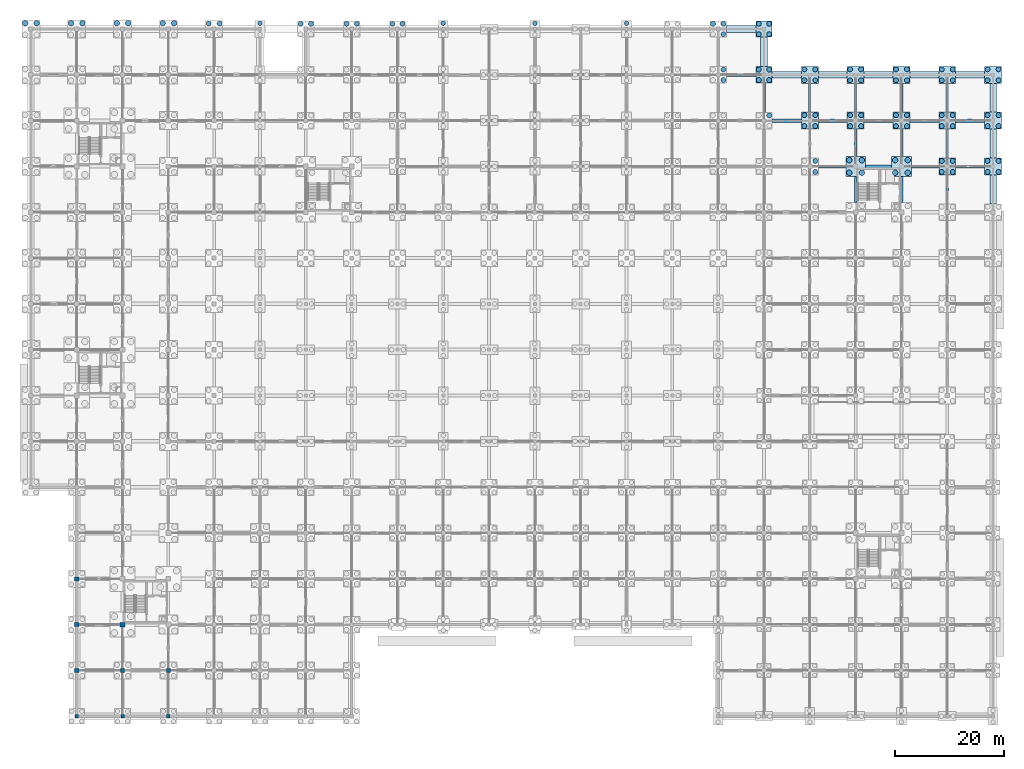
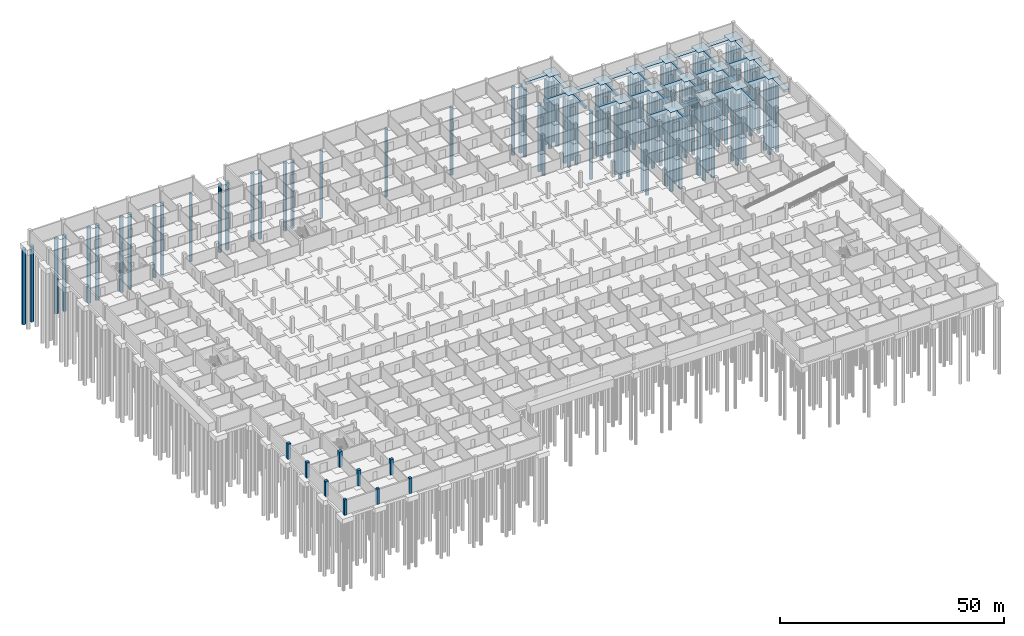
# One storey, part 15 of 43: 92 piles, 47 footings, 9 columns.
"""IFC4 building model written with IfcOpenShell, lengths in metres."""

from ifc_helpers import new_model, si_unit, direction, frame, origin, origin_2d, place, context, subcontext, project, spatial, rectangle, circle, extrude, material, material_profile, profile_set, type_object, element, save


model = new_model("IFC4")

# Units and contexts
model_context = context("Model", 3, precision=1e-05, world=origin(), true_north=direction((0.0, 1.0)))
body_context = subcontext(model_context, "Body", "Model", "MODEL_VIEW")
ifc_project = project(units=[si_unit("LENGTHUNIT", "METRE"), si_unit("AREAUNIT", "SQUARE_METRE"), si_unit("VOLUMEUNIT", "CUBIC_METRE"), si_unit("PLANEANGLEUNIT", "RADIAN"), si_unit("MASSUNIT", "GRAM", prefix="KILO")], contexts=[model_context])

# Site, building, storey
site_placement = place(None, origin())
site = spatial("IfcSite", under=ifc_project, at=site_placement, CompositionType="ELEMENT")
building_placement = place(site_placement, origin())
building = spatial("IfcBuilding", under=site, at=building_placement, Name="Varnapada Polytechnic", CompositionType="ELEMENT")
storey_placement = place(building_placement, frame((0.0, 0.0, -4.199951171875)))
storey = spatial("IfcBuildingStorey", under=building, at=storey_placement, Name="B1", CompositionType="ELEMENT", Elevation=-4.199951171875)

# Piles
ifc_material = material(Name="Concrete C40/50", Category="concrete")
ifc_material_profile_1 = material_profile(ifc_material, circle(Radius=0.5, at=origin_2d()), Name="BP 1000")
ifc_profile_set_1 = profile_set([ifc_material_profile_1], Name="Concrete C40/50")
pile_type_1 = type_object("IfcPileType", Name="Bored Pile BP 1000", PredefinedType="BORED", material=ifc_profile_set_1)
for number, where, z_axis, x_axis, name in (
    (1, (-1.050048828125, 127.050048828125, -1.300048828125), (0.0, 0.0, -1.0), (1.0, 0.0, 0.0), "Bored pile P-01 under CAP-00-15 (3)"),
    (2, (1.050048828125, 127.050048828125, -1.300048828125), (0.0, 0.0, -1.0), (1.0, 0.0, 0.0), "Bored pile P-01 under CAP-00-15 (4)"),
    (3, (7.35009765625, 127.050048828125, -1.300048828125), (0.0, 0.0, -1.0), (1.0, 0.0, 0.0), "Bored pile P-01 under CAP-01-15 (3)"),
    (4, (9.449951171875, 127.050048828125, -1.300048828125), (0.0, 0.0, -1.0), (1.0, 0.0, 0.0), "Bored pile P-01 under CAP-01-15 (4)"),
    (5, (15.75, 127.050048828125, -1.300048828125), (0.0, 0.0, -1.0), (1.0, 0.0, 0.0), "Bored pile P-01 under CAP-02-15 (3)"),
    (6, (17.85009765625, 127.050048828125, -1.300048828125), (0.0, 0.0, -1.0), (1.0, 0.0, 0.0), "Bored pile P-01 under CAP-02-15 (4)"),
    (7, (24.14990234375, 127.050048828125, -1.300048828125), (0.0, 0.0, -1.0), (1.0, 0.0, 0.0), "Bored pile P-01 under CAP-03-15 (3)"),
    (8, (26.25, 127.050048828125, -1.300048828125), (0.0, 0.0, -1.0), (1.0, 0.0, 0.0), "Bored pile P-01 under CAP-03-15 (4)"),
    (9, (150.050048828125, 99.64990234375, -1.300048828125), (0.0, 0.0, -1.0), (1.0, 0.0, 0.0), "Bored pile P-01 under CAP-18-12 (1)"),
    (10, (152.35009765625, 99.64990234375, -1.300048828125), (0.0, 0.0, -1.0), (1.0, 0.0, 0.0), "Bored pile P-01 under CAP-18-12 (2)"),
    (11, (150.050048828125, 101.949951171875, -1.300048828125), (0.0, 0.0, -1.0), (1.0, 0.0, 0.0), "Bored pile P-01 under CAP-18-12 (3)"),
    (12, (152.35009765625, 101.949951171875, -1.300048828125), (0.0, 0.0, -1.0), (1.0, 0.0, 0.0), "Bored pile P-01 under CAP-18-12 (4)"),
    (13, (158.449951171875, 99.64990234375, -1.300048828125), (0.0, 0.0, -1.0), (1.0, 0.0, 0.0), "Bored pile P-01 under CAP-19-12 (1)"),
    (14, (160.75, 99.64990234375, -1.300048828125), (0.0, 0.0, -1.0), (1.0, 0.0, 0.0), "Bored pile P-01 under CAP-19-12 (2)"),
    (15, (158.449951171875, 101.949951171875, -1.300048828125), (0.0, 0.0, -1.0), (1.0, 0.0, 0.0), "Bored pile P-01 under CAP-19-12 (3)"),
    (16, (160.75, 101.949951171875, -1.300048828125), (0.0, 0.0, -1.0), (1.0, 0.0, 0.0), "Bored pile P-01 under CAP-19-12 (4)"),
):
    element("IfcPile", number, at=place(storey_placement, frame(where, z_axis=z_axis, x_axis=x_axis)), inside=storey, type_object=pile_type_1, Name=name, PredefinedType="BORED", context=body_context, shape_type="SweptSolid", body=[
        extrude(circle(Radius=0.5, at=origin_2d()), origin(), (0.0, 0.0, 1.0), 20.5),
    ])
ifc_material_profile_2 = material_profile(ifc_material, circle(Radius=0.39990234375, at=origin_2d()), Name="BP 800")
ifc_profile_set_2 = profile_set([ifc_material_profile_2], Name="Concrete C40/50")
pile_type_2 = type_object("IfcPileType", Name="Bored Pile BP 800", PredefinedType="BORED", material=ifc_profile_set_2)
for number, where, z_axis, x_axis, name in (
    (17, (42.0, 127.050048828125, -1.300048828125), (0.0, 0.0, -1.0), (1.0, 0.0, 0.0), "Bored pile P-03 under CAP-05-15 (2)"),
    (18, (75.60009765625, 127.050048828125, -1.300048828125), (0.0, 0.0, -1.0), (1.0, 0.0, 0.0), "Bored pile P-03 under CAP-09-15 (2)"),
    (19, (92.39990234375, 127.050048828125, -1.300048828125), (0.0, 0.0, -1.0), (1.0, 0.0, 0.0), "Bored pile P-03 under CAP-11-15 (2)"),
    (20, (109.199951171875, 127.050048828125, -1.300048828125), (0.0, 0.0, -1.0), (1.0, 0.0, 0.0), "Bored pile P-03 under CAP-13-15 (2)"),
):
    element("IfcPile", number, at=place(storey_placement, frame(where, z_axis=z_axis, x_axis=x_axis)), inside=storey, type_object=pile_type_2, Name=name, PredefinedType="BORED", context=body_context, shape_type="SweptSolid", body=[
        extrude(circle(Radius=0.39990234375, at=origin_2d()), origin(), (0.0, 0.0, 1.0), 18.5),
    ])
ifc_material_profile_3 = material_profile(ifc_material, circle(Radius=0.449951171875, at=origin_2d()), Name="BP 900")
ifc_profile_set_3 = profile_set([ifc_material_profile_3], Name="Concrete C40/50")
pile_type_3 = type_object("IfcPileType", Name="Bored Pile BP 900", PredefinedType="BORED", material=ifc_profile_set_3)
for number, where, z_axis, x_axis, name in (
    (21, (32.60009765625, 127.0, -1.25), (0.0, 0.0, -1.0), (1.0, 0.0, 0.0), "Bored pile P-02 under CAP-04-15 (3)"),
    (22, (34.60009765625, 127.0, -1.25), (0.0, 0.0, -1.0), (1.0, 0.0, 0.0), "Bored pile P-02 under CAP-04-15 (4)"),
):
    element("IfcPile", number, at=place(storey_placement, frame(where, z_axis=z_axis, x_axis=x_axis)), inside=storey, type_object=pile_type_3, Name=name, PredefinedType="BORED", context=body_context, shape_type="SweptSolid", body=[
        extrude(circle(Radius=0.449951171875, at=origin_2d()), origin(), (0.0, 0.0, 1.0), 19.550048828125),
    ])
for number, where, z_axis, x_axis, name in (
    (23, (49.449951171875, 126.949951171875, -1.300048828125), (0.0, 0.0, -1.0), (1.0, 0.0, 0.0), "Bored pile P-02 under CAP-06-15 (3)"),
    (24, (51.35009765625, 126.949951171875, -1.300048828125), (0.0, 0.0, -1.0), (1.0, 0.0, 0.0), "Bored pile P-02 under CAP-06-15 (4)"),
    (25, (57.85009765625, 126.949951171875, -1.300048828125), (0.0, 0.0, -1.0), (1.0, 0.0, 0.0), "Bored pile P-02 under CAP-07-15 (3)"),
    (26, (59.75, 126.949951171875, -1.300048828125), (0.0, 0.0, -1.0), (1.0, 0.0, 0.0), "Bored pile P-02 under CAP-07-15 (4)"),
    (27, (66.25, 126.949951171875, -1.300048828125), (0.0, 0.0, -1.0), (1.0, 0.0, 0.0), "Bored pile P-02 under CAP-08-15 (3)"),
    (28, (68.14990234375, 126.949951171875, -1.300048828125), (0.0, 0.0, -1.0), (1.0, 0.0, 0.0), "Bored pile P-02 under CAP-08-15 (4)"),
    (29, (126.949951171875, 116.64990234375, -1.300048828125), (0.0, 0.0, -1.0), (1.0, 0.0, 0.0), "Bored pile P-02 under CAP-15-14 (2)"),
    (30, (126.949951171875, 118.550048828125, -1.300048828125), (0.0, 0.0, -1.0), (1.0, 0.0, 0.0), "Bored pile P-02 under CAP-15-14 (4)"),
    (31, (126.949951171875, 125.050048828125, -1.300048828125), (0.0, 0.0, -1.0), (1.0, 0.0, 0.0), "Bored pile P-02 under CAP-15-15 (2)"),
    (32, (125.050048828125, 126.949951171875, -1.300048828125), (0.0, 0.0, -1.0), (1.0, 0.0, 0.0), "Bored pile P-02 under CAP-15-15 (3)"),
    (33, (126.949951171875, 126.949951171875, -1.300048828125), (0.0, 0.0, -1.0), (1.0, 0.0, 0.0), "Bored pile P-02 under CAP-15-15 (4)"),
    (34, (135.35009765625, 110.14990234375, -1.300048828125), (0.0, 0.0, -1.0), (1.0, 0.0, 0.0), "Bored pile P-02 under CAP-16-13 (4)"),
    (35, (133.449951171875, 116.64990234375, -1.300048828125), (0.0, 0.0, -1.0), (1.0, 0.0, 0.0), "Bored pile P-02 under CAP-16-14 (1)"),
    (36, (135.35009765625, 116.64990234375, -1.300048828125), (0.0, 0.0, -1.0), (1.0, 0.0, 0.0), "Bored pile P-02 under CAP-16-14 (2)"),
    (37, (133.449951171875, 118.550048828125, -1.300048828125), (0.0, 0.0, -1.0), (1.0, 0.0, 0.0), "Bored pile P-02 under CAP-16-14 (3)"),
    (38, (135.35009765625, 118.550048828125, -1.300048828125), (0.0, 0.0, -1.0), (1.0, 0.0, 0.0), "Bored pile P-02 under CAP-16-14 (4)"),
    (39, (133.449951171875, 125.050048828125, -1.300048828125), (0.0, 0.0, -1.0), (1.0, 0.0, 0.0), "Bored pile P-02 under CAP-16-15 (1)"),
    (40, (135.35009765625, 125.050048828125, -1.300048828125), (0.0, 0.0, -1.0), (1.0, 0.0, 0.0), "Bored pile P-02 under CAP-16-15 (2)"),
    (41, (133.449951171875, 126.949951171875, -1.300048828125), (0.0, 0.0, -1.0), (1.0, 0.0, 0.0), "Bored pile P-02 under CAP-16-15 (3)"),
    (42, (135.35009765625, 126.949951171875, -1.300048828125), (0.0, 0.0, -1.0), (1.0, 0.0, 0.0), "Bored pile P-02 under CAP-16-15 (4)"),
):
    element("IfcPile", number, at=place(storey_placement, frame(where, z_axis=z_axis, x_axis=x_axis)), inside=storey, type_object=pile_type_3, Name=name, PredefinedType="BORED", context=body_context, shape_type="SweptSolid", body=[
        extrude(circle(Radius=0.449951171875, at=origin_2d()), origin(), (0.0, 0.0, 1.0), 18.5),
    ])
for number, where, z_axis, x_axis, name in (
    (43, (143.800048828125, 99.800048828125, -1.25), (0.0, 0.0, -1.0), (1.0, 0.0, 0.0), "Bored pile P-02 under CAP-17-12 (2)"),
    (44, (143.800048828125, 101.800048828125, -1.25), (0.0, 0.0, -1.0), (1.0, 0.0, 0.0), "Bored pile P-02 under CAP-17-12 (4)"),
    (45, (141.800048828125, 108.199951171875, -1.25), (0.0, 0.0, -1.0), (1.0, 0.0, 0.0), "Bored pile P-02 under CAP-17-13 (1)"),
    (46, (143.800048828125, 108.199951171875, -1.25), (0.0, 0.0, -1.0), (1.0, 0.0, 0.0), "Bored pile P-02 under CAP-17-13 (2)"),
    (47, (141.800048828125, 110.199951171875, -1.25), (0.0, 0.0, -1.0), (1.0, 0.0, 0.0), "Bored pile P-02 under CAP-17-13 (3)"),
    (48, (143.800048828125, 110.199951171875, -1.25), (0.0, 0.0, -1.0), (1.0, 0.0, 0.0), "Bored pile P-02 under CAP-17-13 (4)"),
    (49, (141.800048828125, 116.60009765625, -1.25), (0.0, 0.0, -1.0), (1.0, 0.0, 0.0), "Bored pile P-02 under CAP-17-14 (1)"),
    (50, (143.800048828125, 116.60009765625, -1.25), (0.0, 0.0, -1.0), (1.0, 0.0, 0.0), "Bored pile P-02 under CAP-17-14 (2)"),
    (51, (141.800048828125, 118.60009765625, -1.25), (0.0, 0.0, -1.0), (1.0, 0.0, 0.0), "Bored pile P-02 under CAP-17-14 (3)"),
    (52, (143.800048828125, 118.60009765625, -1.25), (0.0, 0.0, -1.0), (1.0, 0.0, 0.0), "Bored pile P-02 under CAP-17-14 (4)"),
    (53, (150.199951171875, 108.199951171875, -1.25), (0.0, 0.0, -1.0), (1.0, 0.0, 0.0), "Bored pile P-02 under CAP-18-13 (1)"),
    (54, (152.199951171875, 108.199951171875, -1.25), (0.0, 0.0, -1.0), (1.0, 0.0, 0.0), "Bored pile P-02 under CAP-18-13 (2)"),
    (55, (150.199951171875, 110.199951171875, -1.25), (0.0, 0.0, -1.0), (1.0, 0.0, 0.0), "Bored pile P-02 under CAP-18-13 (3)"),
    (56, (152.199951171875, 110.199951171875, -1.25), (0.0, 0.0, -1.0), (1.0, 0.0, 0.0), "Bored pile P-02 under CAP-18-13 (4)"),
    (57, (150.199951171875, 116.60009765625, -1.25), (0.0, 0.0, -1.0), (1.0, 0.0, 0.0), "Bored pile P-02 under CAP-18-14 (1)"),
    (58, (152.199951171875, 116.60009765625, -1.25), (0.0, 0.0, -1.0), (1.0, 0.0, 0.0), "Bored pile P-02 under CAP-18-14 (2)"),
    (59, (150.199951171875, 118.60009765625, -1.25), (0.0, 0.0, -1.0), (1.0, 0.0, 0.0), "Bored pile P-02 under CAP-18-14 (3)"),
    (60, (152.199951171875, 118.60009765625, -1.25), (0.0, 0.0, -1.0), (1.0, 0.0, 0.0), "Bored pile P-02 under CAP-18-14 (4)"),
    (61, (158.60009765625, 108.199951171875, -1.25), (0.0, 0.0, -1.0), (1.0, 0.0, 0.0), "Bored pile P-02 under CAP-19-13 (1)"),
    (62, (160.60009765625, 108.199951171875, -1.25), (0.0, 0.0, -1.0), (1.0, 0.0, 0.0), "Bored pile P-02 under CAP-19-13 (2)"),
    (63, (158.60009765625, 110.199951171875, -1.25), (0.0, 0.0, -1.0), (1.0, 0.0, 0.0), "Bored pile P-02 under CAP-19-13 (3)"),
    (64, (160.60009765625, 110.199951171875, -1.25), (0.0, 0.0, -1.0), (1.0, 0.0, 0.0), "Bored pile P-02 under CAP-19-13 (4)"),
    (65, (158.60009765625, 116.60009765625, -1.25), (0.0, 0.0, -1.0), (1.0, 0.0, 0.0), "Bored pile P-02 under CAP-19-14 (1)"),
    (66, (160.60009765625, 116.60009765625, -1.25), (0.0, 0.0, -1.0), (1.0, 0.0, 0.0), "Bored pile P-02 under CAP-19-14 (2)"),
    (67, (158.60009765625, 118.60009765625, -1.25), (0.0, 0.0, -1.0), (1.0, 0.0, 0.0), "Bored pile P-02 under CAP-19-14 (3)"),
    (68, (160.60009765625, 118.60009765625, -1.25), (0.0, 0.0, -1.0), (1.0, 0.0, 0.0), "Bored pile P-02 under CAP-19-14 (4)"),
    (69, (167.0, 99.800048828125, -1.25), (0.0, 0.0, -1.0), (1.0, 0.0, 0.0), "Bored pile P-02 under CAP-20-12 (1)"),
    (70, (169.0, 99.800048828125, -1.25), (0.0, 0.0, -1.0), (1.0, 0.0, 0.0), "Bored pile P-02 under CAP-20-12 (2)"),
    (71, (167.0, 101.800048828125, -1.25), (0.0, 0.0, -1.0), (1.0, 0.0, 0.0), "Bored pile P-02 under CAP-20-12 (3)"),
    (72, (169.0, 101.800048828125, -1.25), (0.0, 0.0, -1.0), (1.0, 0.0, 0.0), "Bored pile P-02 under CAP-20-12 (4)"),
    (73, (167.0, 108.199951171875, -1.25), (0.0, 0.0, -1.0), (1.0, 0.0, 0.0), "Bored pile P-02 under CAP-20-13 (1)"),
    (74, (169.0, 108.199951171875, -1.25), (0.0, 0.0, -1.0), (1.0, 0.0, 0.0), "Bored pile P-02 under CAP-20-13 (2)"),
    (75, (167.0, 110.199951171875, -1.25), (0.0, 0.0, -1.0), (1.0, 0.0, 0.0), "Bored pile P-02 under CAP-20-13 (3)"),
    (76, (169.0, 110.199951171875, -1.25), (0.0, 0.0, -1.0), (1.0, 0.0, 0.0), "Bored pile P-02 under CAP-20-13 (4)"),
    (77, (167.0, 116.60009765625, -1.25), (0.0, 0.0, -1.0), (1.0, 0.0, 0.0), "Bored pile P-02 under CAP-20-14 (1)"),
    (78, (169.0, 116.60009765625, -1.25), (0.0, 0.0, -1.0), (1.0, 0.0, 0.0), "Bored pile P-02 under CAP-20-14 (2)"),
    (79, (167.0, 118.60009765625, -1.25), (0.0, 0.0, -1.0), (1.0, 0.0, 0.0), "Bored pile P-02 under CAP-20-14 (3)"),
    (80, (169.0, 118.60009765625, -1.25), (0.0, 0.0, -1.0), (1.0, 0.0, 0.0), "Bored pile P-02 under CAP-20-14 (4)"),
    (81, (175.39990234375, 99.800048828125, -1.25), (0.0, 0.0, -1.0), (1.0, 0.0, 0.0), "Bored pile P-02 under CAP-21-12 (1)"),
    (82, (177.39990234375, 99.800048828125, -1.25), (0.0, 0.0, -1.0), (1.0, 0.0, 0.0), "Bored pile P-02 under CAP-21-12 (2)"),
    (83, (175.39990234375, 101.800048828125, -1.25), (0.0, 0.0, -1.0), (1.0, 0.0, 0.0), "Bored pile P-02 under CAP-21-12 (3)"),
    (84, (177.39990234375, 101.800048828125, -1.25), (0.0, 0.0, -1.0), (1.0, 0.0, 0.0), "Bored pile P-02 under CAP-21-12 (4)"),
    (85, (175.39990234375, 108.199951171875, -1.25), (0.0, 0.0, -1.0), (1.0, 0.0, 0.0), "Bored pile P-02 under CAP-21-13 (1)"),
    (86, (177.39990234375, 108.199951171875, -1.25), (0.0, 0.0, -1.0), (1.0, 0.0, 0.0), "Bored pile P-02 under CAP-21-13 (2)"),
    (87, (175.39990234375, 110.199951171875, -1.25), (0.0, 0.0, -1.0), (1.0, 0.0, 0.0), "Bored pile P-02 under CAP-21-13 (3)"),
    (88, (177.39990234375, 110.199951171875, -1.25), (0.0, 0.0, -1.0), (1.0, 0.0, 0.0), "Bored pile P-02 under CAP-21-13 (4)"),
    (89, (175.39990234375, 116.60009765625, -1.25), (0.0, 0.0, -1.0), (1.0, 0.0, 0.0), "Bored pile P-02 under CAP-21-14 (1)"),
    (90, (177.39990234375, 116.60009765625, -1.25), (0.0, 0.0, -1.0), (1.0, 0.0, 0.0), "Bored pile P-02 under CAP-21-14 (2)"),
    (91, (175.39990234375, 118.60009765625, -1.25), (0.0, 0.0, -1.0), (1.0, 0.0, 0.0), "Bored pile P-02 under CAP-21-14 (3)"),
    (92, (177.39990234375, 118.60009765625, -1.25), (0.0, 0.0, -1.0), (1.0, 0.0, 0.0), "Bored pile P-02 under CAP-21-14 (4)"),
):
    element("IfcPile", number, at=place(storey_placement, frame(where, z_axis=z_axis, x_axis=x_axis)), inside=storey, type_object=pile_type_3, Name=name, PredefinedType="BORED", context=body_context, shape_type="SweptSolid", body=[
        extrude(circle(Radius=0.449951171875, at=origin_2d()), origin(), (0.0, 0.0, 1.0), 19.550048828125),
    ])

# Footings
footing_type_1 = type_object("IfcFootingType", Name="Footing GB-01", PredefinedType="FOOTING_BEAM", material=ifc_material)
footing_1_placement = place(storey_placement, frame((138.574951171875, 109.199951171875, -0.89990234375), z_axis=(0.0, 0.0, 1.0), x_axis=(1.0, 0.0, 0.0)))
element("IfcFooting", 93, at=footing_1_placement, inside=storey, type_object=footing_type_1, Name="Ground footing beam GB-01 X 17-18", PredefinedType="FOOTING_BEAM", context=body_context, shape_type="SweptSolid", body=[
    extrude(rectangle(XDim=5.35009765625, YDim=0.60009765625, at=origin_2d()), origin(), (0.0, 0.0, 1.0), 0.89990234375),
])
footing_2_placement = place(storey_placement, frame((146.875, 100.800048828125, -0.89990234375), z_axis=(0.0, 0.0, 1.0), x_axis=(1.0, 0.0, 0.0)))
element("IfcFooting", 94, at=footing_2_placement, inside=storey, type_object=footing_type_1, Name="Ground footing beam GB-01 X 18-19", PredefinedType="FOOTING_BEAM", context=body_context, shape_type="SweptSolid", body=[
    extrude(rectangle(XDim=5.050048828125, YDim=0.60009765625, at=origin_2d()), origin(), (0.0, 0.0, 1.0), 0.89990234375),
])
footing_3_placement = place(storey_placement, frame((147.0, 109.199951171875, -0.89990234375), z_axis=(0.0, 0.0, 1.0), x_axis=(1.0, 0.0, 0.0)))
element("IfcFooting", 95, at=footing_3_placement, inside=storey, type_object=footing_type_1, Name="Ground footing beam GB-01 X 18-19", PredefinedType="FOOTING_BEAM", context=body_context, shape_type="SweptSolid", body=[
    extrude(rectangle(XDim=5.300048828125, YDim=0.60009765625, at=origin_2d()), origin(), (0.0, 0.0, 1.0), 0.89990234375),
])
footing_4_placement = place(storey_placement, frame((155.39990234375, 100.800048828125, -0.89990234375), z_axis=(0.0, 0.0, 1.0), x_axis=(1.0, 0.0, 0.0)))
element("IfcFooting", 96, at=footing_4_placement, inside=storey, type_object=footing_type_1, Name="Ground footing beam GB-01 X 19-20", PredefinedType="FOOTING_BEAM", context=body_context, shape_type="SweptSolid", body=[
    extrude(rectangle(XDim=4.800048828125, YDim=0.60009765625, at=origin_2d()), origin(), (0.0, 0.0, 1.0), 0.89990234375),
])
footing_5_placement = place(storey_placement, frame((155.39990234375, 109.199951171875, -0.89990234375), z_axis=(0.0, 0.0, 1.0), x_axis=(1.0, 0.0, 0.0)))
element("IfcFooting", 97, at=footing_5_placement, inside=storey, type_object=footing_type_1, Name="Ground footing beam GB-01 X 19-20", PredefinedType="FOOTING_BEAM", context=body_context, shape_type="SweptSolid", body=[
    extrude(rectangle(XDim=5.300048828125, YDim=0.60009765625, at=origin_2d()), origin(), (0.0, 0.0, 1.0), 0.89990234375),
])
footing_6_placement = place(storey_placement, frame((163.925048828125, 100.800048828125, -0.89990234375), z_axis=(0.0, 0.0, 1.0), x_axis=(1.0, 0.0, 0.0)))
element("IfcFooting", 98, at=footing_6_placement, inside=storey, type_object=footing_type_1, Name="Ground footing beam GB-01 X 20-21", PredefinedType="FOOTING_BEAM", context=body_context, shape_type="SweptSolid", body=[
    extrude(rectangle(XDim=5.050048828125, YDim=0.60009765625, at=origin_2d()), origin(), (0.0, 0.0, 1.0), 0.89990234375),
])
for number, where, z_axis, x_axis, name in (
    (99, (163.800048828125, 109.199951171875, -0.89990234375), (0.0, 0.0, 1.0), (1.0, 0.0, 0.0), "Ground footing beam GB-01 X 20-21"),
    (100, (172.199951171875, 100.800048828125, -0.89990234375), (0.0, 0.0, 1.0), (1.0, 0.0, 0.0), "Ground footing beam GB-01 X 21-22"),
    (101, (172.199951171875, 109.199951171875, -0.89990234375), (0.0, 0.0, 1.0), (1.0, 0.0, 0.0), "Ground footing beam GB-01 X 21-22"),
):
    element("IfcFooting", number, at=place(storey_placement, frame(where, z_axis=z_axis, x_axis=x_axis)), inside=storey, type_object=footing_type_1, Name=name, PredefinedType="FOOTING_BEAM", context=body_context, shape_type="SweptSolid", body=[
        extrude(rectangle(XDim=5.300048828125, YDim=0.60009765625, at=origin_2d()), origin(), (0.0, 0.0, 1.0), 0.89990234375),
    ])
footing_type_2 = type_object("IfcFootingType", Name="Footing GB-02", PredefinedType="FOOTING_BEAM", material=ifc_material)
footing_7_placement = place(storey_placement, frame((134.39990234375, 113.39990234375, -0.80029296875), z_axis=(0.0, 0.0, 1.0), x_axis=(0.0, 1.0, 0.0)))
element("IfcFooting", 102, at=footing_7_placement, inside=storey, type_object=footing_type_2, Name="Ground footing beam GB-02 Y 14-15", PredefinedType="FOOTING_BEAM", context=body_context, shape_type="SweptSolid", body=[
    extrude(rectangle(XDim=5.39990234375, YDim=0.5, at=origin_2d()), origin(), (0.0, 0.0, 1.0), 0.800048828125),
])
footing_8_placement = place(storey_placement, frame((142.800048828125, 113.39990234375, -0.80029296875), z_axis=(0.0, 0.0, 1.0), x_axis=(0.0, 1.0, 0.0)))
element("IfcFooting", 103, at=footing_8_placement, inside=storey, type_object=footing_type_2, Name="Ground footing beam GB-02 Y 14-15", PredefinedType="FOOTING_BEAM", context=body_context, shape_type="SweptSolid", body=[
    extrude(rectangle(XDim=5.300048828125, YDim=0.5, at=origin_2d()), origin(), (0.0, 0.0, 1.0), 0.800048828125),
])
footing_9_placement = place(storey_placement, frame((151.199951171875, 96.60009765625, -0.80029296875), z_axis=(0.0, 0.0, 1.0), x_axis=(0.0, 1.0, 0.0)))
element("IfcFooting", 104, at=footing_9_placement, inside=storey, type_object=footing_type_2, Name="Ground footing beam GB-02 Y 12-13", PredefinedType="FOOTING_BEAM", context=body_context, shape_type="SweptSolid", body=[
    extrude(rectangle(XDim=4.800048828125, YDim=0.5, at=origin_2d()), origin(), (0.0, 0.0, 1.0), 0.800048828125),
])
footing_10_placement = place(storey_placement, frame((151.199951171875, 105.125, -0.80029296875), z_axis=(0.0, 0.0, 1.0), x_axis=(0.0, 1.0, 0.0)))
element("IfcFooting", 105, at=footing_10_placement, inside=storey, type_object=footing_type_2, Name="Ground footing beam GB-02 Y 13-14", PredefinedType="FOOTING_BEAM", context=body_context, shape_type="SweptSolid", body=[
    extrude(rectangle(XDim=5.050048828125, YDim=0.5, at=origin_2d()), origin(), (0.0, 0.0, 1.0), 0.800048828125),
])
footing_11_placement = place(storey_placement, frame((151.199951171875, 113.39990234375, -0.80029296875), z_axis=(0.0, 0.0, 1.0), x_axis=(0.0, 1.0, 0.0)))
element("IfcFooting", 106, at=footing_11_placement, inside=storey, type_object=footing_type_2, Name="Ground footing beam GB-02 Y 14-15", PredefinedType="FOOTING_BEAM", context=body_context, shape_type="SweptSolid", body=[
    extrude(rectangle(XDim=5.300048828125, YDim=0.5, at=origin_2d()), origin(), (0.0, 0.0, 1.0), 0.800048828125),
])
footing_12_placement = place(storey_placement, frame((159.60009765625, 96.60009765625, -0.80029296875), z_axis=(0.0, 0.0, 1.0), x_axis=(0.0, 1.0, 0.0)))
element("IfcFooting", 107, at=footing_12_placement, inside=storey, type_object=footing_type_2, Name="Ground footing beam GB-02 Y 12-13", PredefinedType="FOOTING_BEAM", context=body_context, shape_type="SweptSolid", body=[
    extrude(rectangle(XDim=4.800048828125, YDim=0.5, at=origin_2d()), origin(), (0.0, 0.0, 1.0), 0.800048828125),
])
footing_13_placement = place(storey_placement, frame((159.60009765625, 105.125, -0.80029296875), z_axis=(0.0, 0.0, 1.0), x_axis=(0.0, 1.0, 0.0)))
element("IfcFooting", 108, at=footing_13_placement, inside=storey, type_object=footing_type_2, Name="Ground footing beam GB-02 Y 13-14", PredefinedType="FOOTING_BEAM", context=body_context, shape_type="SweptSolid", body=[
    extrude(rectangle(XDim=5.050048828125, YDim=0.5, at=origin_2d()), origin(), (0.0, 0.0, 1.0), 0.800048828125),
])
for number, where, z_axis, x_axis, name in (
    (109, (159.60009765625, 113.39990234375, -0.80029296875), (0.0, 0.0, 1.0), (0.0, 1.0, 0.0), "Ground footing beam GB-02 Y 14-15"),
    (110, (168.0, 96.60009765625, -0.80029296875), (0.0, 0.0, 1.0), (0.0, 1.0, 0.0), "Ground footing beam GB-02 Y 12-13"),
    (111, (168.0, 105.0, -0.80029296875), (0.0, 0.0, 1.0), (0.0, 1.0, 0.0), "Ground footing beam GB-02 Y 13-14"),
    (112, (168.0, 113.39990234375, -0.80029296875), (0.0, 0.0, 1.0), (0.0, 1.0, 0.0), "Ground footing beam GB-02 Y 14-15"),
):
    element("IfcFooting", number, at=place(storey_placement, frame(where, z_axis=z_axis, x_axis=x_axis)), inside=storey, type_object=footing_type_2, Name=name, PredefinedType="FOOTING_BEAM", context=body_context, shape_type="SweptSolid", body=[
        extrude(rectangle(XDim=5.300048828125, YDim=0.5, at=origin_2d()), origin(), (0.0, 0.0, 1.0), 0.800048828125),
    ])
footing_type_3 = type_object("IfcFootingType", Name="Footing GB-04", PredefinedType="FOOTING_BEAM", material=ifc_material)
footing_14_placement = place(storey_placement, frame((130.199951171875, 117.60009765625, -0.85009765625), z_axis=(0.0, 0.0, 1.0), x_axis=(1.0, 0.0, 0.0)))
element("IfcFooting", 113, at=footing_14_placement, inside=storey, type_object=footing_type_3, Name="Ground footing beam GB-04 X 16-17", PredefinedType="FOOTING_BEAM", context=body_context, shape_type="SweptSolid", body=[
    extrude(rectangle(XDim=5.39990234375, YDim=0.550048828125, at=origin_2d()), origin(), (0.0, 0.0, 1.0), 0.85009765625),
])
footing_type_4 = type_object("IfcFootingType", Name="Footing PC-01", PredefinedType="PILE_CAP", material=ifc_material)
for number, where, z_axis, x_axis, name in (
    (114, (151.199951171875, 100.800048828125, -1.39990234375), (0.0, 0.0, 1.0), (1.0, 0.0, 0.0), "Pile cap PC-01 at grid 19/13"),
    (115, (159.60009765625, 100.800048828125, -1.39990234375), (0.0, 0.0, 1.0), (1.0, 0.0, 0.0), "Pile cap PC-01 at grid 20/13"),
):
    element("IfcFooting", number, at=place(storey_placement, frame(where, z_axis=z_axis, x_axis=x_axis)), inside=storey, type_object=footing_type_4, Name=name, PredefinedType="PILE_CAP", context=body_context, shape_type="SweptSolid", body=[
        extrude(rectangle(XDim=3.60009765625, YDim=3.60009765625, at=origin_2d()), origin(), (0.0, 0.0, 1.0), 1.39990234375),
    ])
footing_type_5 = type_object("IfcFootingType", Name="Footing PC-03", PredefinedType="PILE_CAP", material=ifc_material)
for number, where, z_axis, x_axis, name in (
    (116, (134.39990234375, 117.60009765625, -1.39990234375), (0.0, 0.0, 1.0), (1.0, 0.0, 0.0), "Pile cap PC-03 at grid 17/15"),
    (117, (134.39990234375, 126.0, -1.39990234375), (0.0, 0.0, 1.0), (1.0, 0.0, 0.0), "Pile cap PC-03 at grid 17/16"),
):
    element("IfcFooting", number, at=place(storey_placement, frame(where, z_axis=z_axis, x_axis=x_axis)), inside=storey, type_object=footing_type_5, Name=name, PredefinedType="PILE_CAP", context=body_context, shape_type="SweptSolid", body=[
        extrude(rectangle(XDim=3.0, YDim=3.0, at=origin_2d()), origin(), (0.0, 0.0, 1.0), 1.39990234375),
    ])
footing_type_6 = type_object("IfcFootingType", Name="Footing PC-08", PredefinedType="PILE_CAP", material=ifc_material)
for number, where, z_axis, x_axis, name in (
    (118, (142.800048828125, 109.199951171875, -1.35009765625), (0.0, 0.0, 1.0), (1.0, 0.0, 0.0), "Pile cap PC-08 at grid 18/14"),
    (119, (142.800048828125, 117.60009765625, -1.35009765625), (0.0, 0.0, 1.0), (1.0, 0.0, 0.0), "Pile cap PC-08 at grid 18/15"),
    (120, (151.199951171875, 109.199951171875, -1.35009765625), (0.0, 0.0, 1.0), (1.0, 0.0, 0.0), "Pile cap PC-08 at grid 19/14"),
    (121, (151.199951171875, 117.60009765625, -1.35009765625), (0.0, 0.0, 1.0), (1.0, 0.0, 0.0), "Pile cap PC-08 at grid 19/15"),
    (122, (159.60009765625, 109.199951171875, -1.35009765625), (0.0, 0.0, 1.0), (1.0, 0.0, 0.0), "Pile cap PC-08 at grid 20/14"),
    (123, (159.60009765625, 117.60009765625, -1.35009765625), (0.0, 0.0, 1.0), (1.0, 0.0, 0.0), "Pile cap PC-08 at grid 20/15"),
    (124, (168.0, 100.800048828125, -1.35009765625), (0.0, 0.0, 1.0), (1.0, 0.0, 0.0), "Pile cap PC-08 at grid 21/13"),
    (125, (168.0, 109.199951171875, -1.35009765625), (0.0, 0.0, 1.0), (1.0, 0.0, 0.0), "Pile cap PC-08 at grid 21/14"),
    (126, (168.0, 117.60009765625, -1.35009765625), (0.0, 0.0, 1.0), (1.0, 0.0, 0.0), "Pile cap PC-08 at grid 21/15"),
    (127, (176.39990234375, 100.800048828125, -1.35009765625), (0.0, 0.0, 1.0), (1.0, 0.0, 0.0), "Pile cap PC-08 at grid 22/13"),
    (128, (176.39990234375, 109.199951171875, -1.35009765625), (0.0, 0.0, 1.0), (1.0, 0.0, 0.0), "Pile cap PC-08 at grid 22/14"),
    (129, (176.39990234375, 117.60009765625, -1.35009765625), (0.0, 0.0, 1.0), (1.0, 0.0, 0.0), "Pile cap PC-08 at grid 22/15"),
):
    element("IfcFooting", number, at=place(storey_placement, frame(where, z_axis=z_axis, x_axis=x_axis)), inside=storey, type_object=footing_type_6, Name=name, PredefinedType="PILE_CAP", context=body_context, shape_type="SweptSolid", body=[
        extrude(rectangle(XDim=3.10009765625, YDim=3.10009765625, at=origin_2d()), origin(), (0.0, 0.0, 1.0), 1.35009765625),
    ])
footing_type_7 = type_object("IfcFootingType", Name="Footing SF-01", PredefinedType="STRIP_FOOTING", material=ifc_material)
footing_15_placement = place(storey_placement, frame((130.199951171875, 126.0, -0.7001953125), z_axis=(0.0, 0.0, 1.0), x_axis=(1.0, 0.0, 0.0)))
element("IfcFooting", 130, at=footing_15_placement, inside=storey, type_object=footing_type_7, Name="Ground footing beam SF-01 X 16-17", PredefinedType="STRIP_FOOTING", context=body_context, shape_type="SweptSolid", body=[
    extrude(rectangle(XDim=5.39990234375, YDim=1.199951171875, at=origin_2d()), origin(), (0.0, 0.0, 1.0), 0.699951171875),
])
footing_16_placement = place(storey_placement, frame((138.574951171875, 117.60009765625, -0.7001953125), z_axis=(0.0, 0.0, 1.0), x_axis=(1.0, 0.0, 0.0)))
element("IfcFooting", 131, at=footing_16_placement, inside=storey, type_object=footing_type_7, Name="Ground footing beam SF-01 X 17-18", PredefinedType="STRIP_FOOTING", context=body_context, shape_type="SweptSolid", body=[
    extrude(rectangle(XDim=5.35009765625, YDim=1.199951171875, at=origin_2d()), origin(), (0.0, 0.0, 1.0), 0.699951171875),
])
footing_17_placement = place(storey_placement, frame((134.39990234375, 121.800048828125, -0.7001953125), z_axis=(0.0, 0.0, 1.0), x_axis=(0.0, 1.0, 0.0)))
element("IfcFooting", 132, at=footing_17_placement, inside=storey, type_object=footing_type_7, Name="Ground footing beam SF-01 Y 15-16", PredefinedType="STRIP_FOOTING", context=body_context, shape_type="SweptSolid", body=[
    extrude(rectangle(XDim=5.39990234375, YDim=1.199951171875, at=origin_2d()), origin(), (0.0, 0.0, 1.0), 0.699951171875),
])
for number, where, z_axis, x_axis, name in (
    (133, (147.0, 117.60009765625, -0.7001953125), (0.0, 0.0, 1.0), (1.0, 0.0, 0.0), "Ground footing beam SF-01 X 18-19"),
    (134, (155.39990234375, 117.60009765625, -0.7001953125), (0.0, 0.0, 1.0), (1.0, 0.0, 0.0), "Ground footing beam SF-01 X 19-20"),
    (135, (163.800048828125, 117.60009765625, -0.7001953125), (0.0, 0.0, 1.0), (1.0, 0.0, 0.0), "Ground footing beam SF-01 X 20-21"),
    (136, (172.199951171875, 117.60009765625, -0.7001953125), (0.0, 0.0, 1.0), (1.0, 0.0, 0.0), "Ground footing beam SF-01 X 21-22"),
    (137, (176.39990234375, 96.60009765625, -0.7001953125), (0.0, 0.0, 1.0), (0.0, 1.0, 0.0), "Ground footing beam SF-01 Y 12-13"),
    (138, (176.39990234375, 105.0, -0.7001953125), (0.0, 0.0, 1.0), (0.0, 1.0, 0.0), "Ground footing beam SF-01 Y 13-14"),
    (139, (176.39990234375, 113.39990234375, -0.7001953125), (0.0, 0.0, 1.0), (0.0, 1.0, 0.0), "Ground footing beam SF-01 Y 14-15"),
):
    element("IfcFooting", number, at=place(storey_placement, frame(where, z_axis=z_axis, x_axis=x_axis)), inside=storey, type_object=footing_type_7, Name=name, PredefinedType="STRIP_FOOTING", context=body_context, shape_type="SweptSolid", body=[
        extrude(rectangle(XDim=5.300048828125, YDim=1.199951171875, at=origin_2d()), origin(), (0.0, 0.0, 1.0), 0.699951171875),
    ])

# Columns
ifc_material_profile_4 = material_profile(ifc_material, rectangle(XDim=0.85009765625, YDim=0.85009765625, at=origin_2d()), Name="RC 850x850")
ifc_profile_set_4 = profile_set([ifc_material_profile_4], Name="Concrete C40/50")
column_type_1 = type_object("IfcColumnType", Name="Column C-01 (RC 850x850)", PredefinedType="COLUMN", material=ifc_profile_set_4)
column_placement = place(storey_placement, frame((16.800048828125, 16.800048828125, 0.0), z_axis=(0.0, 0.0, 1.0), x_axis=(1.0, 0.0, 0.0)))
element("IfcColumn", 140, at=column_placement, inside=storey, type_object=column_type_1, Name="B1 column 3/3", PredefinedType="COLUMN", context=body_context, shape_type="SweptSolid", body=[
    extrude(rectangle(XDim=0.85009765625, YDim=0.85009765625, at=origin_2d()), origin(), (0.0, 0.0, 1.0), 4.199951171875),
])
ifc_material_profile_5 = material_profile(ifc_material, rectangle(XDim=0.75, YDim=0.75, at=origin_2d()), Name="RC 750x750")
ifc_profile_set_5 = profile_set([ifc_material_profile_5], Name="Concrete C40/50")
column_type_2 = type_object("IfcColumnType", Name="Column C-02 (RC 750x750)", PredefinedType="COLUMN", material=ifc_profile_set_5)
for number, where, z_axis, x_axis, name in (
    (141, (8.39990234375, 8.39990234375, 0.0), (0.0, 0.0, 1.0), (1.0, 0.0, 0.0), "B1 column 2/2"),
    (142, (8.39990234375, 16.800048828125, 0.0), (0.0, 0.0, 1.0), (1.0, 0.0, 0.0), "B1 column 2/3"),
    (143, (8.39990234375, 25.199951171875, 0.0), (0.0, 0.0, 1.0), (1.0, 0.0, 0.0), "B1 column 2/4"),
    (144, (16.800048828125, 8.39990234375, 0.0), (0.0, 0.0, 1.0), (1.0, 0.0, 0.0), "B1 column 3/2"),
    (145, (25.199951171875, 8.39990234375, 0.0), (0.0, 0.0, 1.0), (1.0, 0.0, 0.0), "B1 column 4/2"),
):
    element("IfcColumn", number, at=place(storey_placement, frame(where, z_axis=z_axis, x_axis=x_axis)), inside=storey, type_object=column_type_2, Name=name, PredefinedType="COLUMN", context=body_context, shape_type="SweptSolid", body=[
        extrude(rectangle(XDim=0.75, YDim=0.75, at=origin_2d()), origin(), (0.0, 0.0, 1.0), 4.199951171875),
    ])
ifc_material_profile_6 = material_profile(ifc_material, rectangle(XDim=0.64990234375, YDim=0.64990234375, at=origin_2d()), Name="RC 650x650")
ifc_profile_set_6 = profile_set([ifc_material_profile_6], Name="Concrete C40/50")
column_type_3 = type_object("IfcColumnType", Name="Column C-03 (RC 650x650)", PredefinedType="COLUMN", material=ifc_profile_set_6)
for number, where, z_axis, x_axis, name in (
    (146, (8.39990234375, 0.0, 0.0), (0.0, 0.0, 1.0), (1.0, 0.0, 0.0), "B1 column 2/1"),
    (147, (16.800048828125, 0.0, 0.0), (0.0, 0.0, 1.0), (1.0, 0.0, 0.0), "B1 column 3/1"),
    (148, (25.199951171875, 0.0, 0.0), (0.0, 0.0, 1.0), (1.0, 0.0, 0.0), "B1 column 4/1"),
):
    element("IfcColumn", number, at=place(storey_placement, frame(where, z_axis=z_axis, x_axis=x_axis)), inside=storey, type_object=column_type_3, Name=name, PredefinedType="COLUMN", context=body_context, shape_type="SweptSolid", body=[
        extrude(rectangle(XDim=0.64990234375, YDim=0.64990234375, at=origin_2d()), origin(), (0.0, 0.0, 1.0), 4.199951171875),
    ])

save(model, "model.ifc")
